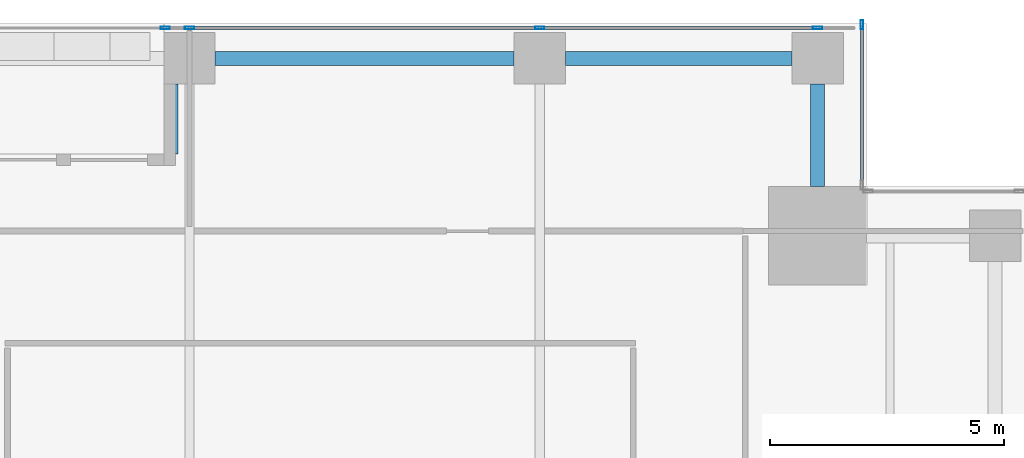
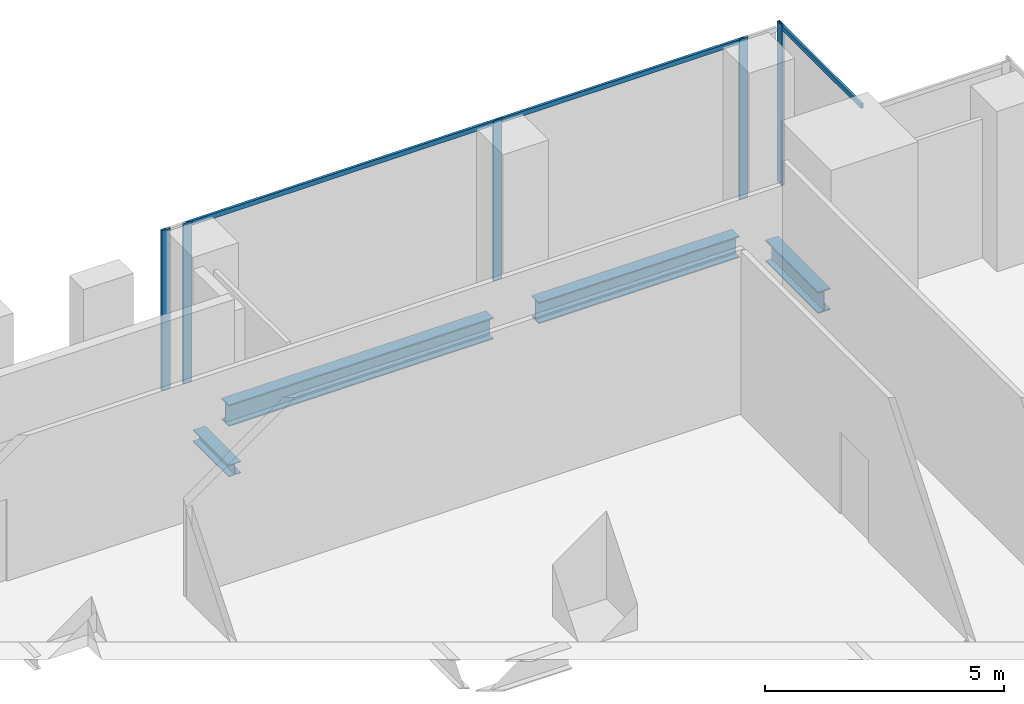
# One storey, part 20 of 33: 8 members, 4 beams, 2 elements without a shape of their own.
"""IFC4 building model written with IfcOpenShell, lengths in metres."""

from ifc_helpers import new_model, si_unit, direction, frame, origin, origin_2d, place, context, subcontext, project, spatial, hollow_rectangle, i_section, extrude, source, transform, mapped, material, material_profile, profile_set, type_object, element, aggregate, save


model = new_model("IFC4")

# Units and contexts
model_context = context("Model", 3, precision=1e-05, world=origin(), true_north=direction((0.0, 1.0)))
body_context = subcontext(model_context, "Body", "Model", "MODEL_VIEW")
ifc_project = project(units=[si_unit("LENGTHUNIT", "METRE"), si_unit("AREAUNIT", "SQUARE_METRE"), si_unit("VOLUMEUNIT", "CUBIC_METRE"), si_unit("PLANEANGLEUNIT", "RADIAN"), si_unit("MASSUNIT", "GRAM", prefix="KILO")], contexts=[model_context])

# Site, building, storey
site_placement = place(None, origin())
site = spatial("IfcSite", under=ifc_project, at=site_placement, CompositionType="ELEMENT")
building_placement = place(site_placement, origin())
building = spatial("IfcBuilding", under=site, at=building_placement, Name="Khomas Fold Tower", CompositionType="ELEMENT")
storey_placement = place(building_placement, frame((0.0, 0.0, 149.89990234375)))
storey = spatial("IfcBuildingStorey", under=building, at=storey_placement, Name="L32", CompositionType="ELEMENT", Elevation=149.89990234375)

# Beams
ifc_material_1 = material(Name="Steel S355", Category="steel")
ifc_material_profile_1 = material_profile(ifc_material_1, i_section(OverallWidth=0.300048828125, OverallDepth=0.550048828125, WebThickness=0.014892578125, FlangeThickness=0.029052734375, at=origin_2d()), Name="HE 550 B")
ifc_profile_set_1 = profile_set([ifc_material_profile_1], Name="Steel S355")
beam_type_1 = type_object("IfcBeamType", Name="HE 550 B spandrel SB2", PredefinedType="SPANDREL", material=ifc_profile_set_1)
shared_shape_1 = source(origin(), body_context, "Body", "SweptSolid", [
    extrude(i_section(OverallWidth=0.300048828125, OverallDepth=0.550048828125, WebThickness=0.014892578125, FlangeThickness=0.029052734375, at=origin_2d()), origin(), (0.0, 0.0, 1.0), 4.849853515625),
])
beam_1_placement = place(storey_placement, frame((42.550048828125, 51.75, -0.574951171875), z_axis=(1.0, 0.0, 0.0), x_axis=(0.0, 1.0, 0.0)))
element("IfcBeam", 1, at=beam_1_placement, inside=storey, type_object=beam_type_1, Name="SB2", PredefinedType="SPANDREL", context=body_context, shape_type="MappedRepresentation", body=[
    mapped(shared_shape_1, transform((0.0, 0.0, 0.0))),
])
shared_shape_2 = source(origin(), body_context, "Body", "SweptSolid", [
    extrude(i_section(OverallWidth=0.300048828125, OverallDepth=0.550048828125, WebThickness=0.014892578125, FlangeThickness=0.029052734375, at=origin_2d()), origin(), (0.0, 0.0, 1.0), 6.39990234375),
])
beam_2_placement = place(storey_placement, frame((35.050048828125, 51.75, -0.574951171875), z_axis=(1.0, 0.0, 0.0), x_axis=(0.0, 1.0, 0.0)))
element("IfcBeam", 2, at=beam_2_placement, inside=storey, type_object=beam_type_1, Name="SB2", PredefinedType="SPANDREL", context=body_context, shape_type="MappedRepresentation", body=[
    mapped(shared_shape_2, transform((0.0, 0.0, 0.0))),
])
shared_shape_3 = source(origin(), body_context, "Body", "SweptSolid", [
    extrude(i_section(OverallWidth=0.300048828125, OverallDepth=0.550048828125, WebThickness=0.014892578125, FlangeThickness=0.029052734375, at=origin_2d()), origin(), (0.0, 0.0, 1.0), 2.199951171875),
])
beam_3_placement = place(storey_placement, frame((47.949951171875, 49.0, -0.574951171875), z_axis=(0.0, 1.0, 0.0), x_axis=(-1.0, 0.0, 0.0)))
element("IfcBeam", 3, at=beam_3_placement, inside=storey, type_object=beam_type_1, Name="SB2", PredefinedType="SPANDREL", context=body_context, shape_type="MappedRepresentation", body=[
    mapped(shared_shape_3, transform((0.0, 0.0, 0.0))),
])
ifc_material_2 = material(Name="Steel S355", Category="steel")
ifc_material_profile_2 = material_profile(ifc_material_2, i_section(OverallWidth=0.300048828125, OverallDepth=0.300048828125, WebThickness=0.010986328125, FlangeThickness=0.01904296875, at=origin_2d()), Name="HE 300 B")
ifc_profile_set_2 = profile_set([ifc_material_profile_2], Name="Steel S355")
beam_type_2 = type_object("IfcBeamType", Name="HE 300 B beam BB1", PredefinedType="BEAM", material=ifc_profile_set_2)
shared_shape_4 = source(origin(), body_context, "Body", "SweptSolid", [
    extrude(i_section(OverallWidth=0.300048828125, OverallDepth=0.300048828125, WebThickness=0.010986328125, FlangeThickness=0.01904296875, at=origin_2d()), origin(), (0.0, 0.0, 1.0), 1.5),
])
beam_4_placement = place(storey_placement, frame((34.10009765625, 49.699951171875, -0.449951171875), z_axis=(0.0, 1.0, 0.0), x_axis=(-1.0, 0.0, 0.0)))
element("IfcBeam", 4, at=beam_4_placement, inside=storey, type_object=beam_type_2, Name="BB1", PredefinedType="BEAM", context=body_context, shape_type="MappedRepresentation", body=[
    mapped(shared_shape_4, transform((0.0, 0.0, 0.0))),
])

# Curtain wall, member
ifc_material_3 = material(Name="Aluminium framed double glazing", Category="aluminium")
curtain_wall_type = type_object("IfcCurtainWallType", Name="SK-Unitised clear-glass wall, growing floors CW1", PredefinedType="NOTDEFINED", material=ifc_material_3)
curtain_wall_1_placement = place(storey_placement, origin())
curtain_wall_1 = element("IfcCurtainWall", 5, at=curtain_wall_1_placement, inside=storey, type_object=curtain_wall_type, Name="CW1 run L32 06-0", PredefinedType="NOTDEFINED")
ifc_material_4 = material(Name="Aluminium", Category="aluminium")
ifc_material_profile_3 = material_profile(ifc_material_4, hollow_rectangle(XDim=0.06005859375, YDim=0.1201171875, WallThickness=0.00390625, at=origin_2d()), Name="SK-Unitised clear-glass wall, growing floors transom CW1-T")
ifc_profile_set_3 = profile_set([ifc_material_profile_3], Name="Aluminium")
member_type_1 = type_object("IfcMemberType", Name="SK-Unitised clear-glass wall, growing floors transom CW1-T", PredefinedType="USERDEFINED", material=ifc_profile_set_3)
shared_shape_5 = source(origin(), body_context, "Body", "SweptSolid", [
    extrude(hollow_rectangle(XDim=0.06005859375, YDim=0.1201171875, WallThickness=0.00390625, at=origin_2d()), origin(), (0.0, 0.0, 1.0), 7.43994140625),
])
member_1_placement = place(storey_placement, frame((41.969970703125, 52.39990234375, 4.0400390625), z_axis=(-1.0, 0.0, 0.0), x_axis=(0.0, -1.0, 0.0)))
member_1 = element("IfcMember", 6, at=member_1_placement, type_object=member_type_1, Name="CW1 transom 3", ObjectType="TRANSOM", PredefinedType="USERDEFINED", context=body_context, shape_type="MappedRepresentation", body=[
    mapped(shared_shape_5, transform((0.0, 0.0, 0.0))),
])

curtain_wall_2_placement = place(storey_placement, origin())
curtain_wall_2 = element("IfcCurtainWall", 7, at=curtain_wall_2_placement, inside=storey, type_object=curtain_wall_type, Name="CW1 corner return L32 05", PredefinedType="NOTDEFINED")
ifc_material_5 = material(Name="Aluminium", Category="aluminium")
ifc_material_profile_4 = material_profile(ifc_material_5, hollow_rectangle(XDim=0.06005859375, YDim=0.199951171875, WallThickness=0.00390625, at=origin_2d()), Name="SK-Unitised clear-glass wall, growing floors mullion CW1-M")
ifc_profile_set_4 = profile_set([ifc_material_profile_4], Name="Aluminium")
member_type_2 = type_object("IfcMemberType", Name="SK-Unitised clear-glass wall, growing floors mullion CW1-M", PredefinedType="MULLION", material=ifc_profile_set_4)
shared_shape_6 = source(origin(), body_context, "Body", "SweptSolid", [
    extrude(hollow_rectangle(XDim=0.06005859375, YDim=0.199951171875, WallThickness=0.00390625, at=origin_2d()), origin(), (0.0, 0.0, 1.0), 4.10009765625),
])
member_2_placement = place(storey_placement, frame((48.89990234375, 52.469970703125, 0.0), z_axis=(0.0, 0.0, 1.0), x_axis=(-1.0, 0.0, 0.0)))
member_2 = element("IfcMember", 8, at=member_2_placement, type_object=member_type_2, Name="CW1 mullion 2", PredefinedType="MULLION", context=body_context, shape_type="MappedRepresentation", body=[
    mapped(shared_shape_6, transform((0.0, 0.0, 0.0))),
])

# Member
member_3_placement = place(storey_placement, frame((47.949951171875, 52.39990234375, 0.0), z_axis=(0.0, 0.0, 1.0), x_axis=(0.0, -1.0, 0.0)))
member_3 = element("IfcMember", 9, at=member_3_placement, type_object=member_type_2, Name="CW1 mullion 2", PredefinedType="MULLION", context=body_context, shape_type="MappedRepresentation", body=[
    mapped(shared_shape_6, transform((0.0, 0.0, 0.0))),
])

member_4_placement = place(storey_placement, frame((42.0, 52.39990234375, 0.0), z_axis=(0.0, 0.0, 1.0), x_axis=(0.0, -1.0, 0.0)))
member_4 = element("IfcMember", 10, at=member_4_placement, type_object=member_type_2, Name="CW1 mullion 3", PredefinedType="MULLION", context=body_context, shape_type="MappedRepresentation", body=[
    mapped(shared_shape_6, transform((0.0, 0.0, 0.0))),
])

member_5_placement = place(storey_placement, frame((34.5, 52.39990234375, 0.0), z_axis=(0.0, 0.0, 1.0), x_axis=(0.0, -1.0, 0.0)))
member_5 = element("IfcMember", 11, at=member_5_placement, type_object=member_type_2, Name="CW1 mullion 4", PredefinedType="MULLION", context=body_context, shape_type="MappedRepresentation", body=[
    mapped(shared_shape_6, transform((0.0, 0.0, 0.0))),
])

member_6_placement = place(storey_placement, frame((33.97998046875, 52.39990234375, 0.0), z_axis=(0.0, 0.0, 1.0), x_axis=(0.0, -1.0, 0.0)))
member_6 = element("IfcMember", 12, at=member_6_placement, type_object=member_type_2, Name="CW1 mullion 5", PredefinedType="MULLION", context=body_context, shape_type="MappedRepresentation", body=[
    mapped(shared_shape_6, transform((0.0, 0.0, 0.0))),
])

shared_shape_7 = source(origin(), body_context, "Body", "SweptSolid", [
    extrude(hollow_rectangle(XDim=0.06005859375, YDim=0.1201171875, WallThickness=0.00390625, at=origin_2d()), origin(), (0.0, 0.0, 1.0), 5.889892578125),
])
member_7_placement = place(storey_placement, frame((47.919921875, 52.39990234375, 4.0400390625), z_axis=(-1.0, 0.0, 0.0), x_axis=(0.0, -1.0, 0.0)))
member_7 = element("IfcMember", 13, at=member_7_placement, type_object=member_type_1, Name="CW1 transom 2", ObjectType="TRANSOM", PredefinedType="USERDEFINED", context=body_context, shape_type="MappedRepresentation", body=[
    mapped(shared_shape_7, transform((0.0, 0.0, 0.0))),
])

aggregate(curtain_wall_1, [member_3, member_4, member_5, member_6, member_7, member_1])

shared_shape_8 = source(origin(), body_context, "Body", "SweptSolid", [
    extrude(hollow_rectangle(XDim=0.06005859375, YDim=0.1201171875, WallThickness=0.00390625, at=origin_2d()), origin(), (0.0, 0.0, 1.0), 3.3798828125),
])
member_8_placement = place(storey_placement, frame((48.89990234375, 49.06005859375, 4.0400390625), z_axis=(0.0, 1.0, 0.0), x_axis=(-1.0, 0.0, 0.0)))
member_8 = element("IfcMember", 14, at=member_8_placement, type_object=member_type_1, Name="CW1 transom 1", ObjectType="TRANSOM", PredefinedType="USERDEFINED", context=body_context, shape_type="MappedRepresentation", body=[
    mapped(shared_shape_8, transform((0.0, 0.0, 0.0))),
])

aggregate(curtain_wall_2, [member_2, member_8])

save(model, "model.ifc")
